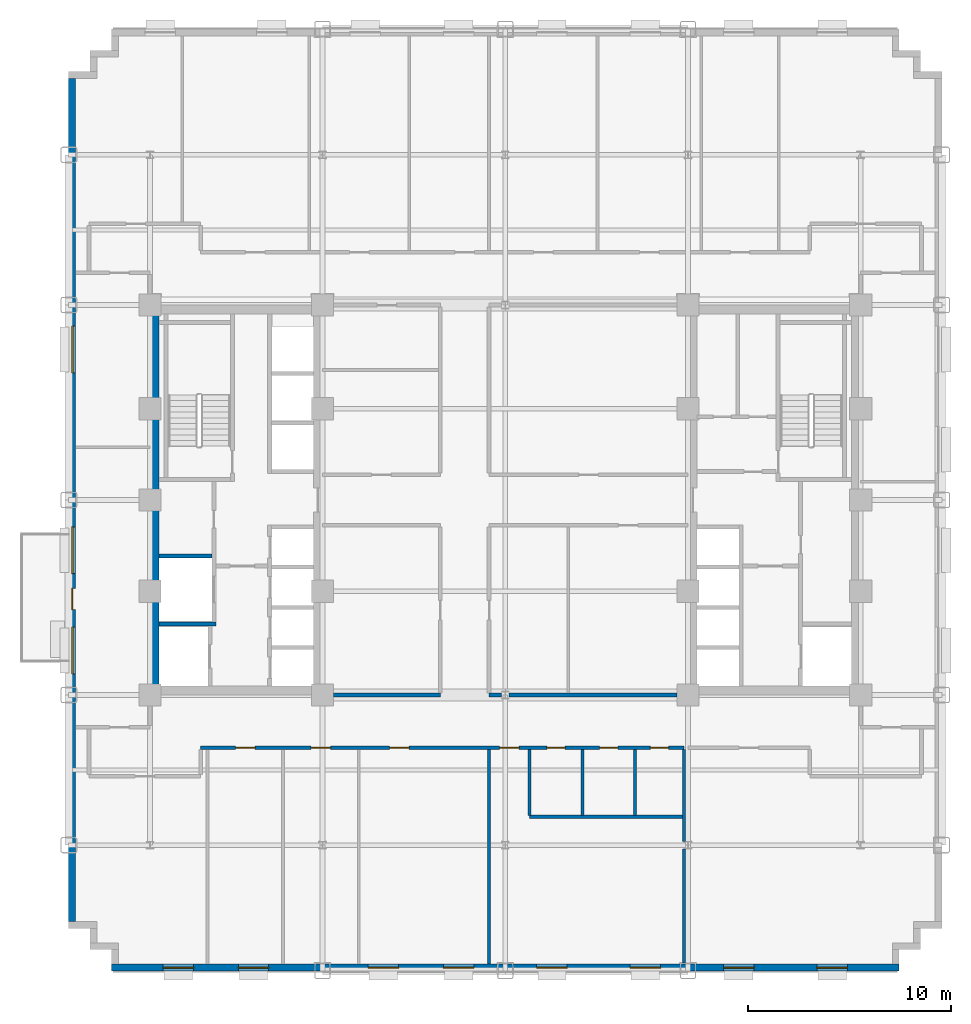
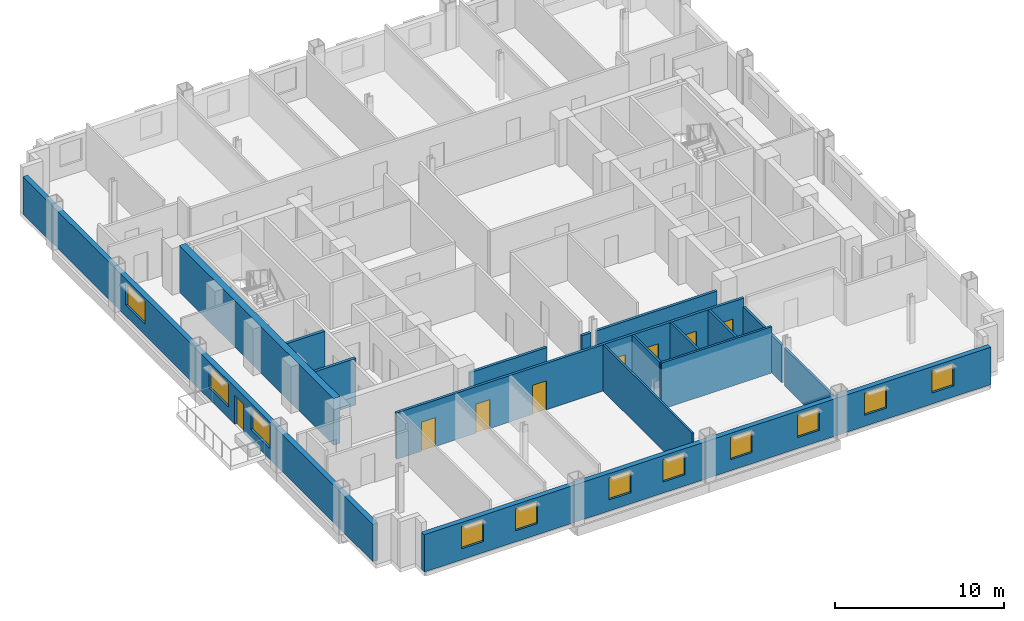
# One storey, part 6 of 14: 16 walls, 11 windows, 8 doors, 19 openings.
"""IFC4 building model written with IfcOpenShell, lengths in metres."""

from ifc_helpers import new_model, si_unit, direction, frame, frame_2d, origin, place, context, subcontext, project, spatial, rectangle, extrude, source, transform, mapped, material, layer, layer_set, type_object, type_shapes, element, fill, save


model = new_model("IFC4")

# Units and contexts
model_context = context("Model", 3, precision=1e-05, world=origin(), true_north=direction((0.0, 1.0)))
body_context = subcontext(model_context, "Body", "Model", "MODEL_VIEW")
ifc_project = project(units=[si_unit("LENGTHUNIT", "METRE"), si_unit("AREAUNIT", "SQUARE_METRE"), si_unit("VOLUMEUNIT", "CUBIC_METRE"), si_unit("PLANEANGLEUNIT", "RADIAN"), si_unit("MASSUNIT", "GRAM", prefix="KILO")], contexts=[model_context])

# Site, building, storey
site_placement = place(None, origin())
site = spatial("IfcSite", under=ifc_project, at=site_placement, CompositionType="ELEMENT")
building_placement = place(site_placement, origin())
building = spatial("IfcBuilding", under=site, at=building_placement, Name="Nuvemarco Arch Tower", CompositionType="ELEMENT")
storey_placement = place(building_placement, frame((0.0, 0.0, 60.449951171875)))
storey = spatial("IfcBuildingStorey", under=building, at=storey_placement, Name="L15", CompositionType="ELEMENT", Elevation=60.449951171875)

# Wall, openings, windows
ifc_material_1 = material(Name="Precast concrete C45/55", Category="concrete")
ifc_layer_1 = layer(ifc_material_1, 0.340087890625, Name="EW-LOW-340")
ifc_layer_set_1 = layer_set([ifc_layer_1], Name="Precast concrete C45/55")
wall_type_1 = type_object("IfcWallType", Name="EW-LOW-340", PredefinedType="STANDARD", material=ifc_layer_set_1)
wall_1_placement = place(storey_placement, frame((-19.39990234375, -23.030029296875, 0.0), z_axis=(0.0, 0.0, 1.0), x_axis=(1.0, 0.0, 0.0)))
wall_1 = element("IfcWall", 1, at=wall_1_placement, inside=storey, type_object=wall_type_1, Name="L15 exterior precast facade wall 1", PredefinedType="STANDARD", context=body_context, shape_type="SweptSolid", body=[
    extrude(rectangle(XDim=38.7998046875, YDim=0.340087890625, at=frame_2d((19.39990234375, 0.0))), origin(), (0.0, 0.0, 1.0), 2.705078125),
])
opening_1_placement = place(wall_1_placement, frame((2.550048828125, 0.0, 0.800048828125)))
opening_1 = element("IfcOpeningElement", 2, at=opening_1_placement, cuts=wall_1, Name="Opening WN-11", PredefinedType="OPENING", context=body_context, shape_type="SweptSolid", body=[
    extrude(rectangle(XDim=1.5, YDim=1.60009765625, at=frame_2d((0.75, 0.800048828125))), frame((0.0, 0.179931640625, 0.0), z_axis=(0.0, -1.0, 0.0), x_axis=(1.0, 0.0, 0.0)), (0.0, 0.0, 1.0), 0.360107421875),
])
opening_2_placement = place(wall_1_placement, frame((6.25, 0.0, 0.800048828125)))
opening_2 = element("IfcOpeningElement", 3, at=opening_2_placement, cuts=wall_1, Name="Opening WN-11", PredefinedType="OPENING", context=body_context, shape_type="SweptSolid", body=[
    extrude(rectangle(XDim=1.5, YDim=1.60009765625, at=frame_2d((0.75, 0.800048828125))), frame((0.0, 0.179931640625, 0.0), z_axis=(0.0, -1.0, 0.0), x_axis=(1.0, 0.0, 0.0)), (0.0, 0.0, 1.0), 0.360107421875),
])
opening_3_placement = place(wall_1_placement, frame((12.64990234375, 0.0, 0.800048828125)))
opening_3 = element("IfcOpeningElement", 4, at=opening_3_placement, cuts=wall_1, Name="Opening WN-11", PredefinedType="OPENING", context=body_context, shape_type="SweptSolid", body=[
    extrude(rectangle(XDim=1.5, YDim=1.60009765625, at=frame_2d((0.75, 0.800048828125))), frame((0.0, 0.179931640625, 0.0), z_axis=(0.0, -1.0, 0.0), x_axis=(1.0, 0.0, 0.0)), (0.0, 0.0, 1.0), 0.360107421875),
])
opening_4_placement = place(wall_1_placement, frame((16.35009765625, 0.0, 0.800048828125)))
opening_4 = element("IfcOpeningElement", 5, at=opening_4_placement, cuts=wall_1, Name="Opening WN-11", PredefinedType="OPENING", context=body_context, shape_type="SweptSolid", body=[
    extrude(rectangle(XDim=1.5, YDim=1.60009765625, at=frame_2d((0.75, 0.800048828125))), frame((0.0, 0.179931640625, 0.0), z_axis=(0.0, -1.0, 0.0), x_axis=(1.0, 0.0, 0.0)), (0.0, 0.0, 1.0), 0.360107421875),
])
opening_5_placement = place(wall_1_placement, frame((20.949951171875, 0.0, 0.800048828125)))
opening_5 = element("IfcOpeningElement", 6, at=opening_5_placement, cuts=wall_1, Name="Opening WN-11", PredefinedType="OPENING", context=body_context, shape_type="SweptSolid", body=[
    extrude(rectangle(XDim=1.5, YDim=1.60009765625, at=frame_2d((0.75, 0.800048828125))), frame((0.0, 0.179931640625, 0.0), z_axis=(0.0, -1.0, 0.0), x_axis=(1.0, 0.0, 0.0)), (0.0, 0.0, 1.0), 0.360107421875),
])
opening_6_placement = place(wall_1_placement, frame((25.550048828125, 0.0, 0.800048828125)))
opening_6 = element("IfcOpeningElement", 7, at=opening_6_placement, cuts=wall_1, Name="Opening WN-11", PredefinedType="OPENING", context=body_context, shape_type="SweptSolid", body=[
    extrude(rectangle(XDim=1.5, YDim=1.60009765625, at=frame_2d((0.75, 0.800048828125))), frame((0.0, 0.179931640625, 0.0), z_axis=(0.0, -1.0, 0.0), x_axis=(1.0, 0.0, 0.0)), (0.0, 0.0, 1.0), 0.360107421875),
])
opening_7_placement = place(wall_1_placement, frame((30.14990234375, 0.0, 0.800048828125)))
opening_7 = element("IfcOpeningElement", 8, at=opening_7_placement, cuts=wall_1, Name="Opening WN-11", PredefinedType="OPENING", context=body_context, shape_type="SweptSolid", body=[
    extrude(rectangle(XDim=1.5, YDim=1.60009765625, at=frame_2d((0.75, 0.800048828125))), frame((0.0, 0.179931640625, 0.0), z_axis=(0.0, -1.0, 0.0), x_axis=(1.0, 0.0, 0.0)), (0.0, 0.0, 1.0), 0.360107421875),
])
opening_8_placement = place(wall_1_placement, frame((34.75, 0.0, 0.800048828125)))
opening_8 = element("IfcOpeningElement", 9, at=opening_8_placement, cuts=wall_1, Name="Opening WN-11", PredefinedType="OPENING", context=body_context, shape_type="SweptSolid", body=[
    extrude(rectangle(XDim=1.5, YDim=1.60009765625, at=frame_2d((0.75, 0.800048828125))), frame((0.0, 0.179931640625, 0.0), z_axis=(0.0, -1.0, 0.0), x_axis=(1.0, 0.0, 0.0)), (0.0, 0.0, 1.0), 0.360107421875),
])
ifc_material_2 = material(Name="Insulated solar-control glass", Category="glass")
window_type_1 = type_object("IfcWindowType", Name="WN-STEP-1500x1850", PartitioningType="SINGLE_PANEL", PredefinedType="WINDOW", material=ifc_material_2)
shared_shape_1 = source(origin(), body_context, "Body", "SweptSolid", [
    extrude(rectangle(XDim=1.5, YDim=1.60009765625, at=frame_2d((0.75, 0.800048828125))), frame((0.0, 0.030029296875, 0.0), z_axis=(0.0, -1.0, 0.0), x_axis=(1.0, 0.0, 0.0)), (0.0, 0.0, 1.0), 0.06005859375),
])
type_shapes(window_type_1, [shared_shape_1])
window_1_placement = place(opening_1_placement, origin())
window_1 = element("IfcWindow", 10, at=window_1_placement, inside=storey, type_object=window_type_1, Name="L15 punched facade window 1", OverallHeight=1.60009765625, OverallWidth=1.5, PartitioningType="SINGLE_PANEL", PredefinedType="WINDOW", context=body_context, shape_type="MappedRepresentation", body=[
    mapped(shared_shape_1, transform((0.0, 0.0, 0.0), scale=1.0)),
])
fill(opening_1, window_1)
window_2_placement = place(opening_2_placement, origin())
window_2 = element("IfcWindow", 11, at=window_2_placement, inside=storey, type_object=window_type_1, Name="L15 punched facade window 2", OverallHeight=1.60009765625, OverallWidth=1.5, PartitioningType="SINGLE_PANEL", PredefinedType="WINDOW", context=body_context, shape_type="MappedRepresentation", body=[
    mapped(shared_shape_1, transform((0.0, 0.0, 0.0), scale=1.0)),
])
fill(opening_2, window_2)
window_3_placement = place(opening_3_placement, origin())
window_3 = element("IfcWindow", 12, at=window_3_placement, inside=storey, type_object=window_type_1, Name="L15 punched facade window 3", OverallHeight=1.60009765625, OverallWidth=1.5, PartitioningType="SINGLE_PANEL", PredefinedType="WINDOW", context=body_context, shape_type="MappedRepresentation", body=[
    mapped(shared_shape_1, transform((0.0, 0.0, 0.0), scale=1.0)),
])
fill(opening_3, window_3)
window_4_placement = place(opening_4_placement, origin())
window_4 = element("IfcWindow", 13, at=window_4_placement, inside=storey, type_object=window_type_1, Name="L15 punched facade window 4", OverallHeight=1.60009765625, OverallWidth=1.5, PartitioningType="SINGLE_PANEL", PredefinedType="WINDOW", context=body_context, shape_type="MappedRepresentation", body=[
    mapped(shared_shape_1, transform((0.0, 0.0, 0.0), scale=1.0)),
])
fill(opening_4, window_4)
window_5_placement = place(opening_5_placement, origin())
window_5 = element("IfcWindow", 14, at=window_5_placement, inside=storey, type_object=window_type_1, Name="L15 punched facade window 5", OverallHeight=1.60009765625, OverallWidth=1.5, PartitioningType="SINGLE_PANEL", PredefinedType="WINDOW", context=body_context, shape_type="MappedRepresentation", body=[
    mapped(shared_shape_1, transform((0.0, 0.0, 0.0), scale=1.0)),
])
fill(opening_5, window_5)
window_6_placement = place(opening_6_placement, origin())
window_6 = element("IfcWindow", 15, at=window_6_placement, inside=storey, type_object=window_type_1, Name="L15 punched facade window 6", OverallHeight=1.60009765625, OverallWidth=1.5, PartitioningType="SINGLE_PANEL", PredefinedType="WINDOW", context=body_context, shape_type="MappedRepresentation", body=[
    mapped(shared_shape_1, transform((0.0, 0.0, 0.0), scale=1.0)),
])
fill(opening_6, window_6)
window_7_placement = place(opening_7_placement, origin())
window_7 = element("IfcWindow", 16, at=window_7_placement, inside=storey, type_object=window_type_1, Name="L15 punched facade window 7", OverallHeight=1.60009765625, OverallWidth=1.5, PartitioningType="SINGLE_PANEL", PredefinedType="WINDOW", context=body_context, shape_type="MappedRepresentation", body=[
    mapped(shared_shape_1, transform((0.0, 0.0, 0.0), scale=1.0)),
])
fill(opening_7, window_7)
window_8_placement = place(opening_8_placement, origin())
window_8 = element("IfcWindow", 17, at=window_8_placement, inside=storey, type_object=window_type_1, Name="L15 punched facade window 8", OverallHeight=1.60009765625, OverallWidth=1.5, PartitioningType="SINGLE_PANEL", PredefinedType="WINDOW", context=body_context, shape_type="MappedRepresentation", body=[
    mapped(shared_shape_1, transform((0.0, 0.0, 0.0), scale=1.0)),
])
fill(opening_8, window_8)

# Wall, openings, door, windows
wall_2_placement = place(storey_placement, frame((-21.330078125, -20.763916015625, 0.0), z_axis=(0.0, 0.0, 1.0), x_axis=(0.0, 1.0, 0.0)))
wall_2 = element("IfcWall", 18, at=wall_2_placement, inside=storey, type_object=wall_type_1, Name="L15 exterior precast facade wall 16", PredefinedType="STANDARD", context=body_context, shape_type="SweptSolid", body=[
    extrude(rectangle(XDim=41.52783203125, YDim=0.340087890625, at=frame_2d((20.763916015625, 0.0))), origin(), (0.0, 0.0, 1.0), 2.705078125),
])
opening_9_placement = place(wall_2_placement, frame((15.364013671875, 0.0, 0.0)))
opening_9 = element("IfcOpeningElement", 19, at=opening_9_placement, cuts=wall_2, Name="Opening ED-5", PredefinedType="OPENING", context=body_context, shape_type="SweptSolid", body=[
    extrude(rectangle(XDim=1.050048828125, YDim=2.10009765625, at=frame_2d((0.52490234375, 1.050048828125))), frame((0.0, 0.179931640625, 0.0), z_axis=(0.0, -1.0, 0.0), x_axis=(1.0, 0.0, 0.0)), (0.0, 0.0, 1.0), 0.360107421875),
])
opening_10_placement = place(wall_2_placement, frame((12.202392578125, 0.0, 0.800048828125)))
opening_10 = element("IfcOpeningElement", 20, at=opening_10_placement, cuts=wall_2, Name="Opening WN-10", PredefinedType="OPENING", context=body_context, shape_type="SweptSolid", body=[
    extrude(rectangle(XDim=2.300048828125, YDim=1.6201171875, at=frame_2d((1.14990234375, 0.81005859375))), frame((0.0, 0.179931640625, 0.0), z_axis=(0.0, -1.0, 0.0), x_axis=(1.0, 0.0, 0.0)), (0.0, 0.0, 1.0), 0.360107421875),
])
opening_11_placement = place(wall_2_placement, frame((17.1435546875, 0.0, 0.800048828125)))
opening_11 = element("IfcOpeningElement", 21, at=opening_11_placement, cuts=wall_2, Name="Opening WN-10", PredefinedType="OPENING", context=body_context, shape_type="SweptSolid", body=[
    extrude(rectangle(XDim=2.300048828125, YDim=1.6201171875, at=frame_2d((1.14990234375, 0.81005859375))), frame((0.0, 0.179931640625, 0.0), z_axis=(0.0, -1.0, 0.0), x_axis=(1.0, 0.0, 0.0)), (0.0, 0.0, 1.0), 0.360107421875),
])
opening_12_placement = place(wall_2_placement, frame((27.025390625, 0.0, 0.800048828125)))
opening_12 = element("IfcOpeningElement", 22, at=opening_12_placement, cuts=wall_2, Name="Opening WN-10", PredefinedType="OPENING", context=body_context, shape_type="SweptSolid", body=[
    extrude(rectangle(XDim=2.300048828125, YDim=1.6201171875, at=frame_2d((1.14990234375, 0.81005859375))), frame((0.0, 0.179931640625, 0.0), z_axis=(0.0, -1.0, 0.0), x_axis=(1.0, 0.0, 0.0)), (0.0, 0.0, 1.0), 0.360107421875),
])
ifc_material_3 = material(Name="Anodised bronze and laminated glass", Category="glass")
door_type_1 = type_object("IfcDoorType", Name="DR-EXT-TERR", OperationType="NOTDEFINED", PredefinedType="DOOR", material=ifc_material_3)
shared_shape_2 = source(origin(), body_context, "Body", "SweptSolid", [
    extrude(rectangle(XDim=1.050048828125, YDim=2.10009765625, at=frame_2d((0.52490234375, 1.050048828125))), frame((0.0, 0.02490234375, 0.0), z_axis=(0.0, -1.0, 0.0), x_axis=(1.0, 0.0, 0.0)), (0.0, 0.0, 1.0), 0.050048828125),
])
type_shapes(door_type_1, [shared_shape_2])
door_1_placement = place(opening_9_placement, origin())
door_1 = element("IfcDoor", 23, at=door_1_placement, inside=storey, type_object=door_type_1, Name="L15 spiral terrace access door", OperationType="SINGLE_SWING_LEFT", OverallHeight=2.10009765625, OverallWidth=1.050048828125, PredefinedType="DOOR", context=body_context, shape_type="MappedRepresentation", body=[
    mapped(shared_shape_2, transform((0.0, 0.0, 0.0), scale=1.0)),
])
fill(opening_9, door_1)
window_type_2 = type_object("IfcWindowType", Name="WN-STEP-2300x1700", PartitioningType="DOUBLE_PANEL_VERTICAL", PredefinedType="WINDOW", material=ifc_material_2)
shared_shape_3 = source(origin(), body_context, "Body", "SweptSolid", [
    extrude(rectangle(XDim=2.300048828125, YDim=1.6201171875, at=frame_2d((1.14990234375, 0.81005859375))), frame((0.0, 0.030029296875, 0.0), z_axis=(0.0, -1.0, 0.0), x_axis=(1.0, 0.0, 0.0)), (0.0, 0.0, 1.0), 0.06005859375),
])
type_shapes(window_type_2, [shared_shape_3])
window_9_placement = place(opening_10_placement, origin())
window_9 = element("IfcWindow", 24, at=window_9_placement, inside=storey, type_object=window_type_2, Name="L15 punched facade window 3", OverallHeight=1.6201171875, OverallWidth=2.300048828125, PartitioningType="SINGLE_PANEL", PredefinedType="WINDOW", context=body_context, shape_type="MappedRepresentation", body=[
    mapped(shared_shape_3, transform((0.0, 0.0, 0.0), scale=1.0)),
])
fill(opening_10, window_9)
window_10_placement = place(opening_11_placement, origin())
window_10 = element("IfcWindow", 25, at=window_10_placement, inside=storey, type_object=window_type_2, Name="L15 punched facade window 4", OverallHeight=1.6201171875, OverallWidth=2.300048828125, PartitioningType="SINGLE_PANEL", PredefinedType="WINDOW", context=body_context, shape_type="MappedRepresentation", body=[
    mapped(shared_shape_3, transform((0.0, 0.0, 0.0), scale=1.0)),
])
fill(opening_11, window_10)
window_11_placement = place(opening_12_placement, origin())
window_11 = element("IfcWindow", 26, at=window_11_placement, inside=storey, type_object=window_type_2, Name="L15 punched facade window 6", OverallHeight=1.6201171875, OverallWidth=2.300048828125, PartitioningType="SINGLE_PANEL", PredefinedType="WINDOW", context=body_context, shape_type="MappedRepresentation", body=[
    mapped(shared_shape_3, transform((0.0, 0.0, 0.0), scale=1.0)),
])
fill(opening_12, window_11)

# Wall
ifc_material_4 = material(Name="Concrete C60/75", Category="concrete")
ifc_layer_2 = layer(ifc_material_4, 0.449951171875, Name="WL-CORE-450")
ifc_layer_set_2 = layer_set([ifc_layer_2], Name="Concrete C60/75")
wall_type_2 = type_object("IfcWallType", Name="WL-CORE-450", PredefinedType="SHEAR", material=ifc_layer_set_2)
wall_3_placement = place(storey_placement, frame((-17.27490234375, -9.155029296875, 0.0), z_axis=(0.0, 0.0, 1.0), x_axis=(0.0, 1.0, 0.0)))
element("IfcWall", 27, at=wall_3_placement, inside=storey, type_object=wall_type_2, Name="L15 W-core shear wall W", PredefinedType="SHEAR", context=body_context, shape_type="SweptSolid", body=[
    extrude(rectangle(XDim=18.31005859375, YDim=0.449951171875, at=frame_2d((9.155029296875, 0.0))), origin(), (0.0, 0.0, 1.0), 3.3701171875),
])

# Wall, openings, doors
ifc_material_5 = material(Name="Fire-rated gypsum drywall partition")
ifc_layer_3 = layer(ifc_material_5, 0.179931640625, Name="WL-CORR-180")
ifc_layer_set_3 = layer_set([ifc_layer_3], Name="Fire-rated gypsum drywall partition")
wall_type_3 = type_object("IfcWallType", Name="WL-CORR-180", PredefinedType="PARTITIONING", material=ifc_layer_set_3)
wall_4_placement = place(storey_placement, frame((-15.0, -12.199951171875, 0.0), z_axis=(0.0, 0.0, 1.0), x_axis=(1.0, 0.0, 0.0)))
wall_4 = element("IfcWall", 28, at=wall_4_placement, inside=storey, type_object=wall_type_3, Name="L15 interior wall IW-L15-004", PredefinedType="PARTITIONING", context=body_context, shape_type="SweptSolid", body=[
    extrude(rectangle(XDim=23.800048828125, YDim=0.179931640625, at=frame_2d((11.89990234375, 0.0))), origin(), (0.0, 0.0, 1.0), 3.360107421875),
])
opening_13_placement = place(wall_4_placement, frame((9.31005859375, 0.0, 0.0)))
opening_13 = element("IfcOpeningElement", 29, at=opening_13_placement, cuts=wall_4, Name="Opening FD-5", PredefinedType="OPENING", context=body_context, shape_type="SweptSolid", body=[
    extrude(rectangle(XDim=0.9599609375, YDim=2.10009765625, at=frame_2d((0.47998046875, 1.050048828125))), frame((0.0, 0.099853515625, 0.0), z_axis=(0.0, -1.0, 0.0), x_axis=(1.0, 0.0, 0.0)), (0.0, 0.0, 1.0), 0.199951171875),
])
opening_14_placement = place(wall_4_placement, frame((1.715087890625, 0.0, 0.0)))
opening_14 = element("IfcOpeningElement", 30, at=opening_14_placement, cuts=wall_4, Name="Opening FD-5", PredefinedType="OPENING", context=body_context, shape_type="SweptSolid", body=[
    extrude(rectangle(XDim=0.9599609375, YDim=2.10009765625, at=frame_2d((0.47998046875, 1.050048828125))), frame((0.0, 0.099853515625, 0.0), z_axis=(0.0, -1.0, 0.0), x_axis=(1.0, 0.0, 0.0)), (0.0, 0.0, 1.0), 0.199951171875),
])
opening_15_placement = place(wall_4_placement, frame((5.43994140625, 0.0, 0.0)))
opening_15 = element("IfcOpeningElement", 31, at=opening_15_placement, cuts=wall_4, Name="Opening FD-5", PredefinedType="OPENING", context=body_context, shape_type="SweptSolid", body=[
    extrude(rectangle(XDim=0.9599609375, YDim=2.10009765625, at=frame_2d((0.47998046875, 1.050048828125))), frame((0.0, 0.099853515625, 0.0), z_axis=(0.0, -1.0, 0.0), x_axis=(1.0, 0.0, 0.0)), (0.0, 0.0, 1.0), 0.199951171875),
])
opening_16_placement = place(wall_4_placement, frame((19.64990234375, 0.0, 0.0)))
opening_16 = element("IfcOpeningElement", 32, at=opening_16_placement, cuts=wall_4, Name="Opening ID-3", PredefinedType="OPENING", context=body_context, shape_type="SweptSolid", body=[
    extrude(rectangle(XDim=0.89990234375, YDim=2.10009765625, at=frame_2d((0.449951171875, 1.050048828125))), frame((0.0, 0.099853515625, 0.0), z_axis=(0.0, -1.0, 0.0), x_axis=(1.0, 0.0, 0.0)), (0.0, 0.0, 1.0), 0.199951171875),
])
opening_17_placement = place(wall_4_placement, frame((17.050048828125, 0.0, 0.0)))
opening_17 = element("IfcOpeningElement", 33, at=opening_17_placement, cuts=wall_4, Name="Opening ID-3", PredefinedType="OPENING", context=body_context, shape_type="SweptSolid", body=[
    extrude(rectangle(XDim=0.89990234375, YDim=2.10009765625, at=frame_2d((0.449951171875, 1.050048828125))), frame((0.0, 0.099853515625, 0.0), z_axis=(0.0, -1.0, 0.0), x_axis=(1.0, 0.0, 0.0)), (0.0, 0.0, 1.0), 0.199951171875),
])
opening_18_placement = place(wall_4_placement, frame((22.14990234375, 0.0, 0.0)))
opening_18 = element("IfcOpeningElement", 34, at=opening_18_placement, cuts=wall_4, Name="Opening ID-3", PredefinedType="OPENING", context=body_context, shape_type="SweptSolid", body=[
    extrude(rectangle(XDim=0.89990234375, YDim=2.10009765625, at=frame_2d((0.449951171875, 1.050048828125))), frame((0.0, 0.099853515625, 0.0), z_axis=(0.0, -1.0, 0.0), x_axis=(1.0, 0.0, 0.0)), (0.0, 0.0, 1.0), 0.199951171875),
])
opening_19_placement = place(wall_4_placement, frame((14.719970703125, 0.0, 0.0)))
opening_19 = element("IfcOpeningElement", 35, at=opening_19_placement, cuts=wall_4, Name="Opening FD-5", PredefinedType="OPENING", context=body_context, shape_type="SweptSolid", body=[
    extrude(rectangle(XDim=0.9599609375, YDim=2.10009765625, at=frame_2d((0.47998046875, 1.050048828125))), frame((0.0, 0.099853515625, 0.0), z_axis=(0.0, -1.0, 0.0), x_axis=(1.0, 0.0, 0.0)), (0.0, 0.0, 1.0), 0.199951171875),
])
ifc_material_6 = material(Name="Timber fire door", Category="wood")
door_type_2 = type_object("IfcDoorType", Name="DR-CORR-FD", OperationType="NOTDEFINED", PredefinedType="DOOR", material=ifc_material_6)
shared_shape_4 = source(origin(), body_context, "Body", "SweptSolid", [
    extrude(rectangle(XDim=0.9599609375, YDim=2.10009765625, at=frame_2d((0.47998046875, 1.050048828125))), frame((0.0, 0.02490234375, 0.0), z_axis=(0.0, -1.0, 0.0), x_axis=(1.0, 0.0, 0.0)), (0.0, 0.0, 1.0), 0.050048828125),
])
type_shapes(door_type_2, [shared_shape_4])
door_2_placement = place(opening_13_placement, origin())
door_2 = element("IfcDoor", 36, at=door_2_placement, inside=storey, type_object=door_type_2, Name="L15 door DR-L15-S_4", OperationType="SINGLE_SWING_RIGHT", OverallHeight=2.10009765625, OverallWidth=0.9599609375, PredefinedType="DOOR", context=body_context, shape_type="MappedRepresentation", body=[
    mapped(shared_shape_4, transform((0.0, 0.0, 0.0), scale=1.0)),
])
fill(opening_13, door_2)
door_3_placement = place(opening_14_placement, origin())
door_3 = element("IfcDoor", 37, at=door_3_placement, inside=storey, type_object=door_type_2, Name="L15 door DR-L15-S_2", OperationType="SINGLE_SWING_RIGHT", OverallHeight=2.10009765625, OverallWidth=0.9599609375, PredefinedType="DOOR", context=body_context, shape_type="MappedRepresentation", body=[
    mapped(shared_shape_4, transform((0.0, 0.0, 0.0), scale=1.0)),
])
fill(opening_14, door_3)
door_4_placement = place(opening_15_placement, origin())
door_4 = element("IfcDoor", 38, at=door_4_placement, inside=storey, type_object=door_type_2, Name="L15 door DR-L15-S_3", OperationType="SINGLE_SWING_LEFT", OverallHeight=2.10009765625, OverallWidth=0.9599609375, PredefinedType="DOOR", context=body_context, shape_type="MappedRepresentation", body=[
    mapped(shared_shape_4, transform((0.0, 0.0, 0.0), scale=1.0)),
])
fill(opening_15, door_4)
door_5_placement = place(opening_19_placement, origin())
door_5 = element("IfcDoor", 39, at=door_5_placement, inside=storey, type_object=door_type_2, Name="L15 door DR-L15-S_5", OperationType="SINGLE_SWING_RIGHT", OverallHeight=2.10009765625, OverallWidth=0.9599609375, PredefinedType="DOOR", context=body_context, shape_type="MappedRepresentation", body=[
    mapped(shared_shape_4, transform((0.0, 0.0, 0.0), scale=1.0)),
])
fill(opening_19, door_5)
ifc_material_7 = material(Name="Veneered oak timber fire door", Category="wood")
door_type_3 = type_object("IfcDoorType", Name="DR-WC-ACC", OperationType="NOTDEFINED", PredefinedType="DOOR", material=ifc_material_7)
shared_shape_5 = source(origin(), body_context, "Body", "SweptSolid", [
    extrude(rectangle(XDim=0.89990234375, YDim=2.10009765625, at=frame_2d((0.449951171875, 1.050048828125))), frame((0.0, 0.02490234375, 0.0), z_axis=(0.0, -1.0, 0.0), x_axis=(1.0, 0.0, 0.0)), (0.0, 0.0, 1.0), 0.050048828125),
])
type_shapes(door_type_3, [shared_shape_5])
door_6_placement = place(opening_16_placement, origin())
door_6 = element("IfcDoor", 40, at=door_6_placement, inside=storey, type_object=door_type_3, Name="L15 door DR-L15-WC_F", OperationType="SINGLE_SWING_RIGHT", OverallHeight=2.10009765625, OverallWidth=0.89990234375, PredefinedType="DOOR", context=body_context, shape_type="MappedRepresentation", body=[
    mapped(shared_shape_5, transform((0.0, 0.0, 0.0), scale=1.0)),
])
fill(opening_16, door_6)
door_7_placement = place(opening_17_placement, origin())
door_7 = element("IfcDoor", 41, at=door_7_placement, inside=storey, type_object=door_type_3, Name="L15 door DR-L15-WC_M", OperationType="SINGLE_SWING_LEFT", OverallHeight=2.10009765625, OverallWidth=0.89990234375, PredefinedType="DOOR", context=body_context, shape_type="MappedRepresentation", body=[
    mapped(shared_shape_5, transform((0.0, 0.0, 0.0), scale=1.0)),
])
fill(opening_17, door_7)
door_8_placement = place(opening_18_placement, origin())
door_8 = element("IfcDoor", 42, at=door_8_placement, inside=storey, type_object=door_type_3, Name="L15 door DR-L15-WC_ACC", OperationType="SINGLE_SWING_RIGHT", OverallHeight=2.10009765625, OverallWidth=0.89990234375, PredefinedType="DOOR", context=body_context, shape_type="MappedRepresentation", body=[
    mapped(shared_shape_5, transform((0.0, 0.0, 0.0), scale=1.0)),
])
fill(opening_18, door_8)

# Walls
wall_5_placement = place(storey_placement, frame((-8.4541015625, -9.60009765625, 0.0), z_axis=(0.0, 0.0, 1.0), x_axis=(1.0, 0.0, 0.0)))
element("IfcWall", 43, at=wall_5_placement, inside=storey, type_object=wall_type_3, Name="L15 interior wall IW-L15-008", PredefinedType="PARTITIONING", context=body_context, shape_type="SweptSolid", body=[
    extrude(rectangle(XDim=5.254150390625, YDim=0.179931640625, at=frame_2d((2.626953125, 0.0))), origin(), (0.0, 0.0, 1.0), 2.405029296875),
])
wall_6_placement = place(storey_placement, frame((-0.800048828125, -9.60009765625, 0.0), z_axis=(0.0, 0.0, 1.0), x_axis=(1.0, 0.0, 0.0)))
element("IfcWall", 44, at=wall_6_placement, inside=storey, type_object=wall_type_3, Name="L15 interior wall IW-L15-009", PredefinedType="PARTITIONING", context=body_context, shape_type="SweptSolid", body=[
    extrude(rectangle(XDim=0.6240234375, YDim=0.179931640625, at=frame_2d((0.31201171875, 0.0))), origin(), (0.0, 0.0, 1.0), 2.405029296875),
])
wall_7_placement = place(storey_placement, frame((0.176025390625, -9.60009765625, 0.0), z_axis=(0.0, 0.0, 1.0), x_axis=(1.0, 0.0, 0.0)))
element("IfcWall", 45, at=wall_7_placement, inside=storey, type_object=wall_type_3, Name="L15 interior wall IW-L15-010", PredefinedType="PARTITIONING", context=body_context, shape_type="SweptSolid", body=[
    extrude(rectangle(XDim=8.278076171875, YDim=0.179931640625, at=frame_2d((4.13916015625, 0.0))), origin(), (0.0, 0.0, 1.0), 2.405029296875),
])
ifc_material_8 = material(Name="Glazed acoustic office partition")
ifc_layer_4 = layer(ifc_material_8, 0.1298828125, Name="WL-EXEC-130")
ifc_layer_set_4 = layer_set([ifc_layer_4], Name="Glazed acoustic office partition")
wall_type_4 = type_object("IfcWallType", Name="WL-EXEC-130", PredefinedType="PARTITIONING", material=ifc_layer_set_4)
wall_8_placement = place(storey_placement, frame((-0.800048828125, -22.860107421875, 0.0), z_axis=(0.0, 0.0, 1.0), x_axis=(0.0, 1.0, 0.0)))
element("IfcWall", 46, at=wall_8_placement, inside=storey, type_object=wall_type_4, Name="L15 interior wall IW-L15-040", PredefinedType="PARTITIONING", context=body_context, shape_type="SweptSolid", body=[
    extrude(rectangle(XDim=10.57421875, YDim=0.1298828125, at=frame_2d((5.287109375, 0.0))), origin(), (0.0, 0.0, 1.0), 3.360107421875),
])
ifc_material_9 = material(Name="Concrete C50/60", Category="concrete")
ifc_layer_5 = layer(ifc_material_9, 0.199951171875, Name="WL-SHAFT-220")
ifc_layer_set_5 = layer_set([ifc_layer_5], Name="Concrete C50/60")
wall_type_5 = type_object("IfcWallType", Name="WL-SHAFT-220", PredefinedType="SHEAR", material=ifc_layer_set_5)
wall_9_placement = place(storey_placement, frame((-17.054931640625, -6.10009765625, 0.0), z_axis=(0.0, 0.0, 1.0), x_axis=(1.0, 0.0, 0.0)))
element("IfcWall", 47, at=wall_9_placement, inside=storey, type_object=wall_type_5, Name="L15 structural shaft wall SW-L15-W-SH1", PredefinedType="SHEAR", context=body_context, shape_type="SweptSolid", body=[
    extrude(rectangle(XDim=2.804931640625, YDim=0.199951171875, at=frame_2d((1.40234375, 0.0))), origin(), (0.0, 0.0, 1.0), 3.3701171875),
])
wall_10_placement = place(storey_placement, frame((-17.054931640625, -2.75, 0.0), z_axis=(0.0, 0.0, 1.0), x_axis=(1.0, 0.0, 0.0)))
element("IfcWall", 48, at=wall_10_placement, inside=storey, type_object=wall_type_5, Name="L15 structural shaft wall SW-L15-W-SH2", PredefinedType="SHEAR", context=body_context, shape_type="SweptSolid", body=[
    extrude(rectangle(XDim=2.60986328125, YDim=0.199951171875, at=frame_2d((1.304931640625, 0.0))), origin(), (0.0, 0.0, 1.0), 3.3701171875),
])
ifc_material_10 = material(Name="Moisture-resistant gypsum partition")
ifc_layer_6 = layer(ifc_material_10, 0.14990234375, Name="WL-WET-150")
ifc_layer_set_6 = layer_set([ifc_layer_6], Name="Moisture-resistant gypsum partition")
wall_type_6 = type_object("IfcWallType", Name="WL-WET-150", PredefinedType="PARTITIONING", material=ifc_layer_set_6)
wall_11_placement = place(storey_placement, frame((1.199951171875, -15.60009765625, 0.0), z_axis=(0.0, 0.0, 1.0), x_axis=(1.0, 0.0, 0.0)))
element("IfcWall", 49, at=wall_11_placement, inside=storey, type_object=wall_type_6, Name="L15 interior wall IW-L15-001", PredefinedType="PARTITIONING", context=body_context, shape_type="SweptSolid", body=[
    extrude(rectangle(XDim=7.5390625, YDim=0.14990234375, at=frame_2d((3.76953125, 0.0))), origin(), (0.0, 0.0, 1.0), 3.360107421875),
])
for number, where, z_axis, x_axis, name in (
    (50, (1.199951171875, -15.529052734375, 0.0), (0.0, 0.0, 1.0), (0.0, 1.0, 0.0), "L15 interior wall IW-L15-044"),
    (51, (3.800048828125, -15.529052734375, 0.0), (0.0, 0.0, 1.0), (0.0, 1.0, 0.0), "L15 interior wall IW-L15-046"),
    (52, (6.39990234375, -15.529052734375, 0.0), (0.0, 0.0, 1.0), (0.0, 1.0, 0.0), "L15 interior wall IW-L15-048"),
):
    element("IfcWall", number, at=place(storey_placement, frame(where, z_axis=z_axis, x_axis=x_axis)), inside=storey, type_object=wall_type_6, Name=name, PredefinedType="PARTITIONING", context=body_context, shape_type="SweptSolid", body=[
        extrude(rectangle(XDim=3.2431640625, YDim=0.14990234375, at=frame_2d((1.62158203125, 0.0))), origin(), (0.0, 0.0, 1.0), 3.360107421875),
    ])
wall_12_placement = place(storey_placement, frame((8.800048828125, -22.803955078125, 0.0), z_axis=(0.0, 0.0, 1.0), x_axis=(0.0, 1.0, 0.0)))
element("IfcWall", 53, at=wall_12_placement, inside=storey, type_object=wall_type_6, Name="L15 interior wall IW-L15-049", PredefinedType="PARTITIONING", context=body_context, shape_type="SweptSolid", body=[
    extrude(rectangle(XDim=5.6279296875, YDim=0.14990234375, at=frame_2d((2.81396484375, 0.0))), origin(), (0.0, 0.0, 1.0), 2.738037109375),
])
wall_13_placement = place(storey_placement, frame((8.800048828125, -16.823974609375, 0.0), z_axis=(0.0, 0.0, 1.0), x_axis=(0.0, 1.0, 0.0)))
element("IfcWall", 54, at=wall_13_placement, inside=storey, type_object=wall_type_6, Name="L15 interior wall IW-L15-050", PredefinedType="PARTITIONING", context=body_context, shape_type="SweptSolid", body=[
    extrude(rectangle(XDim=4.5380859375, YDim=0.14990234375, at=frame_2d((2.26904296875, 0.0))), origin(), (0.0, 0.0, 1.0), 2.738037109375),
])

save(model, "model.ifc")
